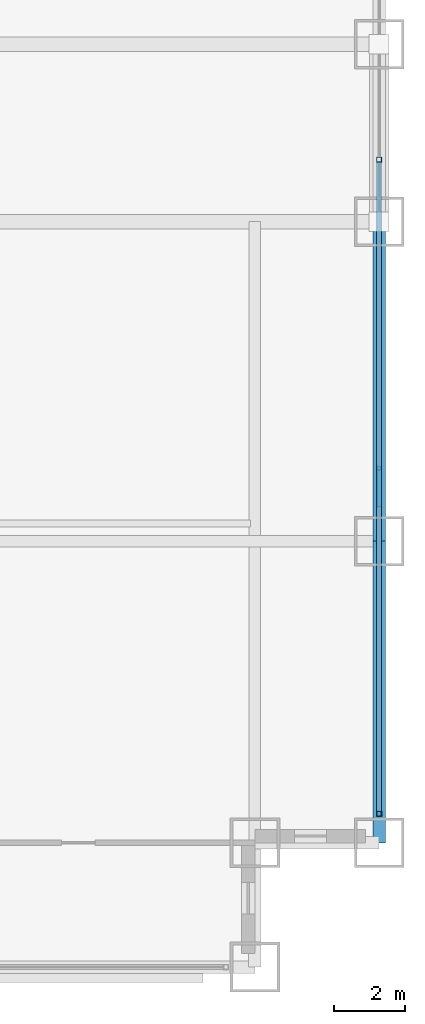
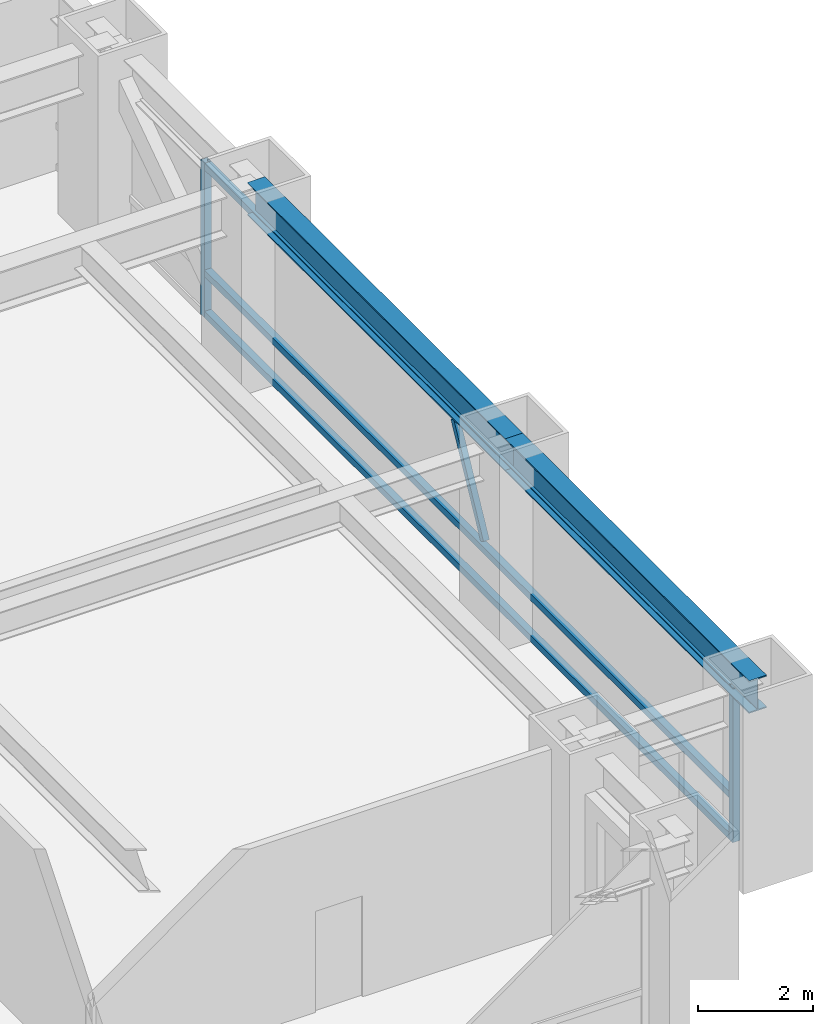
# One storey, part 16 of 31: 6 members, 2 beams, 1 element without a shape of its own.
"""IFC4 building model written with IfcOpenShell, lengths in metres."""

from ifc_helpers import new_model, si_unit, direction, frame, origin, origin_2d, place, context, subcontext, project, spatial, hollow_rectangle, i_section, extrude, source, transform, mapped, material, material_profile, profile_set, type_object, element, aggregate, save


model = new_model("IFC4")

# Units and contexts
model_context = context("Model", 3, precision=1e-05, world=origin(), true_north=direction((0.0, 1.0)))
body_context = subcontext(model_context, "Body", "Model", "MODEL_VIEW")
ifc_project = project(units=[si_unit("LENGTHUNIT", "METRE"), si_unit("AREAUNIT", "SQUARE_METRE"), si_unit("VOLUMEUNIT", "CUBIC_METRE"), si_unit("PLANEANGLEUNIT", "RADIAN"), si_unit("MASSUNIT", "GRAM", prefix="KILO")], contexts=[model_context])

# Site, building, storey
site_placement = place(None, origin())
site = spatial("IfcSite", under=ifc_project, at=site_placement, CompositionType="ELEMENT")
building_placement = place(site_placement, origin())
building = spatial("IfcBuilding", under=site, at=building_placement, Name="Khorayat Bourse Tower", CompositionType="ELEMENT")
storey_placement = place(building_placement, frame((0.0, 0.0, 32.60009765625)))
storey = spatial("IfcBuildingStorey", under=building, at=storey_placement, Name="L06", CompositionType="ELEMENT", Elevation=32.60009765625)

# Beams
ifc_material_1 = material(Name="Steel ASTM A992 Grade 50", Category="steel")
ifc_material_profile_1 = material_profile(ifc_material_1, i_section(OverallWidth=0.35498046875, OverallDepth=0.695068359375, WebThickness=0.015380859375, FlangeThickness=0.02490234375, FilletRadius=0.01806640625, at=origin_2d()), Name="W690X217")
ifc_profile_set_1 = profile_set([ifc_material_profile_1], Name="Steel ASTM A992 Grade 50")
beam_type = type_object("IfcBeamType", Name="BM-SPAN-690", PredefinedType="SPANDREL", material=ifc_profile_set_1)
shared_shape_1 = source(origin(), body_context, "Body", "SweptSolid", [
    extrude(i_section(OverallWidth=0.35498046875, OverallDepth=0.695068359375, WebThickness=0.015380859375, FlangeThickness=0.02490234375, FilletRadius=0.01806640625, at=origin_2d()), origin(), (0.0, 0.0, 1.0), 8.5),
])
beam_1_placement = place(storey_placement, frame((32.0, -28.5, 3.59228515625), z_axis=(0.0, 1.0, 0.0), x_axis=(-1.0, 0.0, 0.0)))
element("IfcBeam", 1, at=beam_1_placement, inside=storey, type_object=beam_type, Name="L06 BM-SPAN-690 BM-L06-SPN-034", PredefinedType="SPANDREL", context=body_context, shape_type="MappedRepresentation", body=[
    mapped(shared_shape_1, transform((0.0, 0.0, 0.0), scale=1.0)),
])
shared_shape_2 = source(origin(), body_context, "Body", "SweptSolid", [
    extrude(i_section(OverallWidth=0.35498046875, OverallDepth=0.695068359375, WebThickness=0.015380859375, FlangeThickness=0.02490234375, FilletRadius=0.01806640625, at=origin_2d()), origin(), (0.0, 0.0, 1.0), 9.0),
])
beam_2_placement = place(storey_placement, frame((32.0, -20.0, 3.59228515625), z_axis=(0.0, 1.0, 0.0), x_axis=(-1.0, 0.0, 0.0)))
element("IfcBeam", 2, at=beam_2_placement, inside=storey, type_object=beam_type, Name="L06 BM-SPAN-690 BM-L06-SPN-035", PredefinedType="SPANDREL", context=body_context, shape_type="MappedRepresentation", body=[
    mapped(shared_shape_2, transform((0.0, 0.0, 0.0), scale=1.0)),
])

# Curtain wall, members
ifc_material_2 = material(Name="Aluminium EN AW-6063 T6", Category="aluminium")
curtain_wall_type = type_object("IfcCurtainWallType", Name="CW-SYS-02", PredefinedType="NOTDEFINED", material=ifc_material_2)
curtain_wall_placement = place(storey_placement, origin())
curtain_wall = element("IfcCurtainWall", 3, at=curtain_wall_placement, inside=storey, type_object=curtain_wall_type, Name="L06 Curtain Wall CW-L06-E1", PredefinedType="NOTDEFINED")
ifc_material_profile_2 = material_profile(ifc_material_2, hollow_rectangle(XDim=0.139892578125, YDim=0.139892578125, WallThickness=0.006103515625, at=origin_2d()), Name="ALU 140x140x6")
ifc_profile_set_2 = profile_set([ifc_material_profile_2], Name="Aluminium EN AW-6063 T6")
member_type_1 = type_object("IfcMemberType", Name="CWM-VERT-140", PredefinedType="MULLION", material=ifc_profile_set_2)
shared_shape_3 = source(origin(), body_context, "Body", "SweptSolid", [
    extrude(hollow_rectangle(XDim=0.139892578125, YDim=0.139892578125, WallThickness=0.006103515625, at=origin_2d()), origin(), (0.0, 0.0, 1.0), 3.289794921875),
])
member_1_placement = place(storey_placement, frame((32.0, -27.679931640625, 0.0), z_axis=(0.0, 0.0, 1.0), x_axis=(-1.0, 0.0, 0.0)))
member_1 = element("IfcMember", 4, at=member_1_placement, type_object=member_type_1, Name="CW-L06-E1 Vertical Mullion 1", PredefinedType="MULLION", context=body_context, shape_type="MappedRepresentation", body=[
    mapped(shared_shape_3, transform((0.0, 0.0, 0.0), scale=1.0)),
])
member_2_placement = place(storey_placement, frame((32.0, -9.25, 0.0), z_axis=(0.0, 0.0, 1.0), x_axis=(-1.0, 0.0, 0.0)))
member_2 = element("IfcMember", 5, at=member_2_placement, type_object=member_type_1, Name="CW-L06-E1 Vertical Mullion 2", PredefinedType="MULLION", context=body_context, shape_type="MappedRepresentation", body=[
    mapped(shared_shape_3, transform((0.0, 0.0, 0.0), scale=1.0)),
])
ifc_material_profile_3 = material_profile(ifc_material_2, hollow_rectangle(XDim=0.139892578125, YDim=0.139892578125, WallThickness=0.006103515625, at=origin_2d()), Name="ALU 140x140x6")
ifc_profile_set_3 = profile_set([ifc_material_profile_3], Name="Aluminium EN AW-6063 T6")
member_type_2 = type_object("IfcMemberType", Name="CWT-HORZ-140", PredefinedType="USERDEFINED", material=ifc_profile_set_3)
shared_shape_4 = source(origin(), body_context, "Body", "SweptSolid", [
    extrude(hollow_rectangle(XDim=0.139892578125, YDim=0.139892578125, WallThickness=0.006103515625, at=origin_2d()), origin(), (0.0, 0.0, 1.0), 18.2900390625),
])
member_3_placement = place(storey_placement, frame((32.0, -27.610107421875, 0.06982421875), z_axis=(0.0, 1.0, 0.0), x_axis=(-1.0, 0.0, 0.0)))
member_3 = element("IfcMember", 6, at=member_3_placement, type_object=member_type_2, Name="CW-L06-E1 Horizontal Transom 1-1", ObjectType="TRANSOM", PredefinedType="USERDEFINED", context=body_context, shape_type="MappedRepresentation", body=[
    mapped(shared_shape_4, transform((0.0, 0.0, 0.0), scale=1.0)),
])
member_4_placement = place(storey_placement, frame((32.0, -27.610107421875, 0.949951171875), z_axis=(0.0, 1.0, 0.0), x_axis=(-1.0, 0.0, 0.0)))
member_4 = element("IfcMember", 7, at=member_4_placement, type_object=member_type_2, Name="CW-L06-E1 Horizontal Transom 1-2", ObjectType="TRANSOM", PredefinedType="USERDEFINED", context=body_context, shape_type="MappedRepresentation", body=[
    mapped(shared_shape_4, transform((0.0, 0.0, 0.0), scale=1.0)),
])
member_5_placement = place(storey_placement, frame((32.0, -27.610107421875, 3.219970703125), z_axis=(0.0, 1.0, 0.0), x_axis=(-1.0, 0.0, 0.0)))
member_5 = element("IfcMember", 8, at=member_5_placement, type_object=member_type_2, Name="CW-L06-E1 Horizontal Transom 1-3", ObjectType="TRANSOM", PredefinedType="USERDEFINED", context=body_context, shape_type="MappedRepresentation", body=[
    mapped(shared_shape_4, transform((0.0, 0.0, 0.0), scale=1.0)),
])
ifc_material_profile_4 = material_profile(ifc_material_2, hollow_rectangle(XDim=0.1201171875, YDim=0.1201171875, WallThickness=0.0048828125, at=origin_2d()), Name="ALU 120x120x5")
ifc_profile_set_4 = profile_set([ifc_material_profile_4], Name="Aluminium EN AW-6063 T6")
member_type_3 = type_object("IfcMemberType", Name="CWM-DIAG-120", PredefinedType="MULLION", material=ifc_profile_set_4)
shared_shape_5 = source(origin(), body_context, "Body", "SweptSolid", [
    extrude(hollow_rectangle(XDim=0.1201171875, YDim=0.1201171875, WallThickness=0.0048828125, at=origin_2d()), origin(), (0.0, 0.0, 1.0), 2.22607421875),
])
member_6_placement = place(storey_placement, frame((32.0, -18.9833984375, 1.099853515625), z_axis=(0.0, 0.465759992596, 0.884911085532), x_axis=(-1.0, 0.0, 0.0)))
member_6 = element("IfcMember", 9, at=member_6_placement, type_object=member_type_3, Name="CW-L06-E1 Faceted Diagonal Mullion 1", PredefinedType="MULLION", context=body_context, shape_type="MappedRepresentation", body=[
    mapped(shared_shape_5, transform((0.0, 0.0, 0.0), scale=1.0)),
])
aggregate(curtain_wall, [member_1, member_2, member_3, member_4, member_5, member_6])

save(model, "model.ifc")
